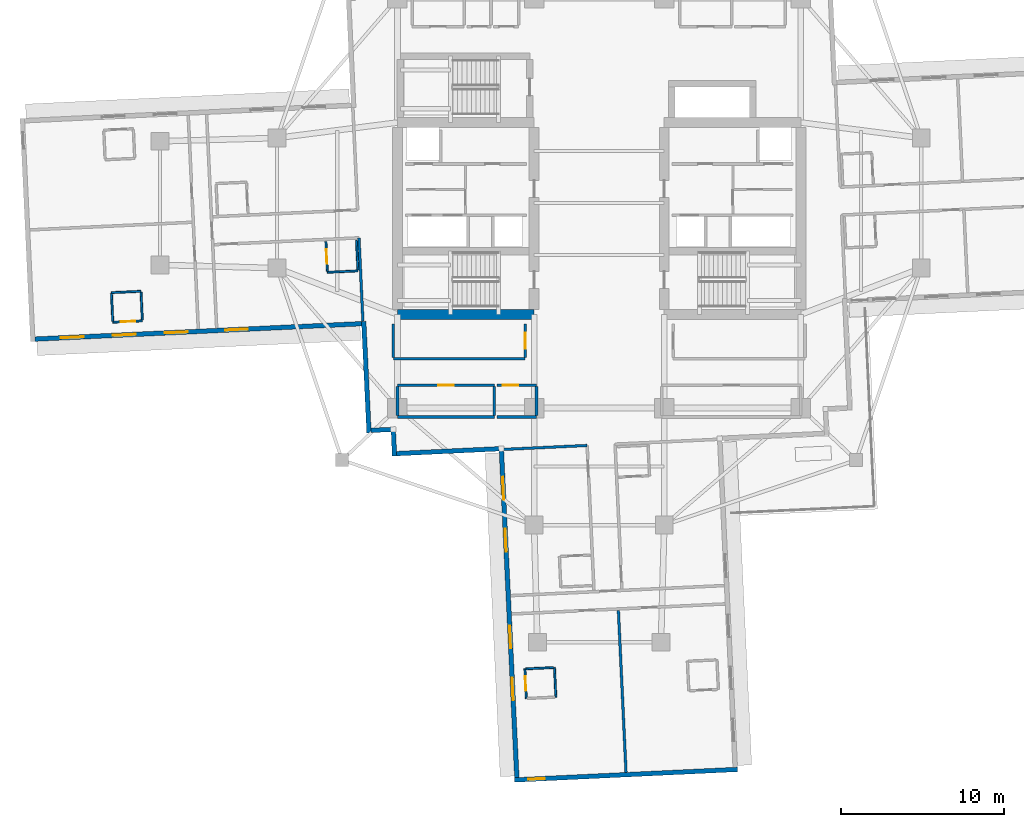
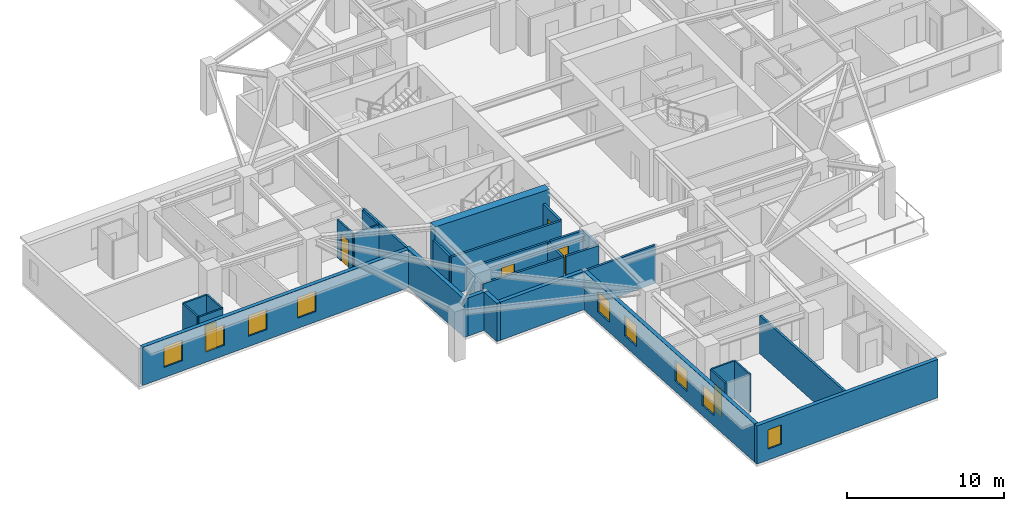
# One storey, part 3 of 14: 31 walls, 9 windows, 6 doors, 15 openings.
"""IFC4 building model written with IfcOpenShell, lengths in metres."""

from ifc_helpers import new_model, si_unit, direction, frame, frame_2d, origin, place, context, subcontext, project, spatial, rectangle, extrude, material, layer, layer_set, type_object, element, fill, save


model = new_model("IFC4")

# Units and contexts
model_context = context("Model", 3, precision=1e-05, world=origin(), true_north=direction((0.0, 1.0)))
body_context = subcontext(model_context, "Body", "Model", "MODEL_VIEW")
ifc_project = project(units=[si_unit("LENGTHUNIT", "METRE"), si_unit("AREAUNIT", "SQUARE_METRE"), si_unit("VOLUMEUNIT", "CUBIC_METRE"), si_unit("PLANEANGLEUNIT", "RADIAN"), si_unit("MASSUNIT", "GRAM", prefix="KILO")], contexts=[model_context])

# Site, building, storey
site_placement = place(None, origin())
site = spatial("IfcSite", under=ifc_project, at=site_placement, CompositionType="ELEMENT")
building_placement = place(site_placement, origin())
building = spatial("IfcBuilding", under=site, at=building_placement, Name="Qingluan Cross Belvedere", CompositionType="ELEMENT")
storey_placement = place(building_placement, frame((0.0, 0.0, 116.39990234375)))
storey = spatial("IfcBuildingStorey", under=building, at=storey_placement, Name="L29", CompositionType="ELEMENT", Elevation=116.39990234375)

# Walls
ifc_material_1 = material(Name="Concrete C60", Category="concrete")
ifc_layer_1 = layer(ifc_material_1, 0.60009765625, Name="CoreShearWall_600")
ifc_layer_set_1 = layer_set([ifc_layer_1], Name="Concrete C60")
wall_type_1 = type_object("IfcWallType", Name="CoreShearWall_600", PredefinedType="SHEAR", material=ifc_layer_set_1)
wall_1_placement = place(storey_placement, frame((-12.39990234375, -6.85009765625, 0.0), z_axis=(0.0, 0.0, 1.0), x_axis=(1.0, 0.0, 0.0)))
element("IfcWall", 1, at=wall_1_placement, inside=storey, type_object=wall_type_1, Name="Split core W shear wall L29-S", PredefinedType="SHEAR", context=body_context, shape_type="SweptSolid", body=[
    extrude(rectangle(XDim=8.39990234375, YDim=0.60009765625, at=frame_2d((4.199951171875, 0.0))), origin(), (0.0, 0.0, 1.0), 3.7001953125),
])
ifc_material_2 = material(Name="Gypsum plasterboard on steel stud acoustic partition", Category="steel")
ifc_layer_2 = layer(ifc_material_2, 0.159912109375, Name="CorridorPartition_160")
ifc_layer_set_2 = layer_set([ifc_layer_2], Name="Gypsum plasterboard on steel stud acoustic partition")
wall_type_2 = type_object("IfcWallType", Name="CorridorPartition_160", PredefinedType="PARTITIONING", material=ifc_layer_set_2)
wall_2_placement = place(storey_placement, frame((-12.39990234375, -13.14990234375, 0.0), z_axis=(0.0, 0.0, 1.0), x_axis=(1.0, 0.0, 0.0)))
element("IfcWall", 2, at=wall_2_placement, inside=storey, type_object=wall_type_2, Name="Partition L29:q_sw1:S", PredefinedType="PARTITIONING", context=body_context, shape_type="SweptSolid", body=[
    extrude(rectangle(XDim=5.949951171875, YDim=0.159912109375, at=frame_2d((2.97509765625, 0.0))), origin(), (0.0, 0.0, 1.0), 2.960205078125),
])

# Wall, opening, door
wall_3_placement = place(storey_placement, frame((-12.39990234375, -11.199951171875, 0.0), z_axis=(0.0, 0.0, 1.0), x_axis=(1.0, 0.0, 0.0)))
wall_3 = element("IfcWall", 3, at=wall_3_placement, inside=storey, type_object=wall_type_2, Name="Partition L29:q_sw1:N", PredefinedType="PARTITIONING", context=body_context, shape_type="SweptSolid", body=[
    extrude(rectangle(XDim=5.949951171875, YDim=0.159912109375, at=frame_2d((2.97509765625, 0.0))), origin(), (0.0, 0.0, 1.0), 2.960205078125),
])
opening_1_placement = place(wall_3_placement, frame((2.4951171875, 0.0, 0.0)))
opening_1 = element("IfcOpeningElement", 4, at=opening_1_placement, cuts=wall_3, Name="Opening GD-10", PredefinedType="OPENING", context=body_context, shape_type="SweptSolid", body=[
    extrude(rectangle(XDim=0.9599609375, YDim=2.14990234375, at=frame_2d((0.47998046875, 1.074951171875))), frame((0.0, 0.08984375, 0.0), z_axis=(0.0, -1.0, 0.0), x_axis=(1.0, 0.0, 0.0)), (0.0, 0.0, 1.0), 0.179931640625),
])
ifc_material_3 = material(Name="Timber oak fire-rated acoustic guestroom door", Category="wood")
door_type_1 = type_object("IfcDoorType", Name="GuestEntryDoor_FD60", OperationType="NOTDEFINED", PredefinedType="DOOR", material=ifc_material_3)
door_1_placement = place(opening_1_placement, origin())
door_1 = element("IfcDoor", 5, at=door_1_placement, inside=storey, type_object=door_type_1, Name="Reading library room L29 door", OperationType="SINGLE_SWING_LEFT", OverallHeight=2.14990234375, OverallWidth=0.9599609375, PredefinedType="DOOR", context=body_context, shape_type="SweptSolid", body=[
    extrude(rectangle(XDim=0.9599609375, YDim=2.14990234375, at=frame_2d((0.47998046875, 1.074951171875))), frame((0.0, 0.02490234375, 0.0), z_axis=(0.0, -1.0, 0.0), x_axis=(1.0, 0.0, 0.0)), (0.0, 0.0, 1.0), 0.050048828125),
])
fill(opening_1, door_1)

# Walls
for number, where, z_axis, x_axis, name in (
    (6, (-12.39990234375, -13.06494140625, 0.0), (0.0, 0.0, 1.0), (0.0, 1.0, 0.0), "Partition L29:q_sw1:W"),
    (7, (-6.449951171875, -13.06494140625, 0.0), (0.0, 0.0, 1.0), (0.0, 1.0, 0.0), "Partition L29:q_sw1:E"),
):
    element("IfcWall", number, at=place(storey_placement, frame(where, z_axis=z_axis, x_axis=x_axis)), inside=storey, type_object=wall_type_2, Name=name, PredefinedType="PARTITIONING", context=body_context, shape_type="SweptSolid", body=[
        extrude(rectangle(XDim=1.780029296875, YDim=0.159912109375, at=frame_2d((0.89013671875, 0.0))), origin(), (0.0, 0.0, 1.0), 2.960205078125),
    ])
wall_4_placement = place(storey_placement, frame((-6.2900390625, -13.14990234375, 0.0), z_axis=(0.0, 0.0, 1.0), x_axis=(1.0, 0.0, 0.0)))
element("IfcWall", 8, at=wall_4_placement, inside=storey, type_object=wall_type_2, Name="Partition L29:q_sw2:S", PredefinedType="PARTITIONING", context=body_context, shape_type="SweptSolid", body=[
    extrude(rectangle(XDim=2.43994140625, YDim=0.159912109375, at=frame_2d((1.219970703125, 0.0))), origin(), (0.0, 0.0, 1.0), 2.960205078125),
])

# Wall, opening, door
wall_5_placement = place(storey_placement, frame((-6.2900390625, -11.199951171875, 0.0), z_axis=(0.0, 0.0, 1.0), x_axis=(1.0, 0.0, 0.0)))
wall_5 = element("IfcWall", 9, at=wall_5_placement, inside=storey, type_object=wall_type_2, Name="Partition L29:q_sw2:N", PredefinedType="PARTITIONING", context=body_context, shape_type="SweptSolid", body=[
    extrude(rectangle(XDim=2.43994140625, YDim=0.159912109375, at=frame_2d((1.219970703125, 0.0))), origin(), (0.0, 0.0, 1.0), 2.960205078125),
])
opening_2_placement = place(wall_5_placement, frame((0.35009765625, 0.0, 0.0)))
opening_2 = element("IfcOpeningElement", 10, at=opening_2_placement, cuts=wall_5, Name="Opening GD-10", PredefinedType="OPENING", context=body_context, shape_type="SweptSolid", body=[
    extrude(rectangle(XDim=0.9599609375, YDim=2.14990234375, at=frame_2d((0.47998046875, 1.074951171875))), frame((0.0, 0.08984375, 0.0), z_axis=(0.0, -1.0, 0.0), x_axis=(1.0, 0.0, 0.0)), (0.0, 0.0, 1.0), 0.179931640625),
])
door_2_placement = place(opening_2_placement, origin())
door_2 = element("IfcDoor", 11, at=door_2_placement, inside=storey, type_object=door_type_1, Name="Southwest reading room L29 door", OperationType="SINGLE_SWING_RIGHT", OverallHeight=2.14990234375, OverallWidth=0.9599609375, PredefinedType="DOOR", context=body_context, shape_type="SweptSolid", body=[
    extrude(rectangle(XDim=0.9599609375, YDim=2.14990234375, at=frame_2d((0.47998046875, 1.074951171875))), frame((0.0, 0.02490234375, 0.0), z_axis=(0.0, -1.0, 0.0), x_axis=(1.0, 0.0, 0.0)), (0.0, 0.0, 1.0), 0.050048828125),
])
fill(opening_2, door_2)

# Walls
wall_6_placement = place(storey_placement, frame((-3.85009765625, -13.06494140625, 0.0), z_axis=(0.0, 0.0, 1.0), x_axis=(0.0, 1.0, 0.0)))
element("IfcWall", 12, at=wall_6_placement, inside=storey, type_object=wall_type_2, Name="Partition L29:q_sw2:E", PredefinedType="PARTITIONING", context=body_context, shape_type="SweptSolid", body=[
    extrude(rectangle(XDim=1.780029296875, YDim=0.159912109375, at=frame_2d((0.89013671875, 0.0))), origin(), (0.0, 0.0, 1.0), 2.960205078125),
])
wall_7_placement = place(storey_placement, frame((-12.64990234375, -9.580078125, 0.0), z_axis=(0.0, 0.0, 1.0), x_axis=(1.0, 0.0, 0.0)))
element("IfcWall", 13, at=wall_7_placement, inside=storey, type_object=wall_type_2, Name="Partition L29:rec_st4_w:S", PredefinedType="PARTITIONING", context=body_context, shape_type="SweptSolid", body=[
    extrude(rectangle(XDim=8.099853515625, YDim=0.159912109375, at=frame_2d((4.0498046875, 0.0))), origin(), (0.0, 0.0, 1.0), 2.960205078125),
])
wall_8_placement = place(storey_placement, frame((-12.64990234375, -9.4951171875, 0.0), z_axis=(0.0, 0.0, 1.0), x_axis=(0.0, 1.0, 0.0)))
element("IfcWall", 14, at=wall_8_placement, inside=storey, type_object=wall_type_2, Name="Partition L29:rec_st4_w:W", PredefinedType="PARTITIONING", context=body_context, shape_type="SweptSolid", body=[
    extrude(rectangle(XDim=2.06005859375, YDim=0.159912109375, at=frame_2d((1.030029296875, 0.0))), origin(), (0.0, 0.0, 1.0), 2.960205078125),
])

# Wall, opening, door
wall_9_placement = place(storey_placement, frame((-4.550048828125, -9.4951171875, 0.0), z_axis=(0.0, 0.0, 1.0), x_axis=(0.0, 1.0, 0.0)))
wall_9 = element("IfcWall", 15, at=wall_9_placement, inside=storey, type_object=wall_type_2, Name="Partition L29:rec_st4_w:E", PredefinedType="PARTITIONING", context=body_context, shape_type="SweptSolid", body=[
    extrude(rectangle(XDim=2.06005859375, YDim=0.159912109375, at=frame_2d((1.030029296875, 0.0))), origin(), (0.0, 0.0, 1.0), 2.960205078125),
])
opening_3_placement = place(wall_9_placement, frame((0.550048828125, 0.0, 0.0)))
opening_3 = element("IfcOpeningElement", 16, at=opening_3_placement, cuts=wall_9, Name="Opening GD-10", PredefinedType="OPENING", context=body_context, shape_type="SweptSolid", body=[
    extrude(rectangle(XDim=0.9599609375, YDim=2.14990234375, at=frame_2d((0.47998046875, 1.074951171875))), frame((0.0, 0.08984375, 0.0), z_axis=(0.0, -1.0, 0.0), x_axis=(1.0, 0.0, 0.0)), (0.0, 0.0, 1.0), 0.179931640625),
])
door_3_placement = place(opening_3_placement, origin())
door_3 = element("IfcDoor", 17, at=door_3_placement, inside=storey, type_object=door_type_1, Name="Southwest club reading room L29 door", OperationType="SINGLE_SWING_LEFT", OverallHeight=2.14990234375, OverallWidth=0.9599609375, PredefinedType="DOOR", context=body_context, shape_type="SweptSolid", body=[
    extrude(rectangle(XDim=0.9599609375, YDim=2.14990234375, at=frame_2d((0.47998046875, 1.074951171875))), frame((0.0, 0.02490234375, 0.0), z_axis=(0.0, -1.0, 0.0), x_axis=(1.0, 0.0, 0.0)), (0.0, 0.0, 1.0), 0.050048828125),
])
fill(opening_3, door_3)

# Walls
wall_10_placement = place(storey_placement, frame((-14.765625, -2.137939453125, 0.0), z_axis=(0.0, 0.0, 1.0), x_axis=(0.047095033298, -0.998890413328, 0.0)))
element("IfcWall", 18, at=wall_10_placement, inside=storey, type_object=wall_type_2, Name="Partition L29:W:s1", PredefinedType="PARTITIONING", context=body_context, shape_type="SweptSolid", body=[
    extrude(rectangle(XDim=5.132080078125, YDim=0.159912109375, at=frame_2d((2.56591796875, 0.0))), origin(), (0.0, 0.0, 1.0), 2.960205078125),
])
wall_11_placement = place(storey_placement, frame((-0.739013671875, -14.9013671875, 0.0), z_axis=(0.0, 0.0, 1.0), x_axis=(-0.998889275357, -0.047119163577, 0.0)))
element("IfcWall", 19, at=wall_11_placement, inside=storey, type_object=wall_type_2, Name="Partition L29:S:s1", PredefinedType="PARTITIONING", context=body_context, shape_type="SweptSolid", body=[
    extrude(rectangle(XDim=5.27978515625, YDim=0.159912109375, at=frame_2d((2.639892578125, 0.0))), origin(), (0.0, 0.0, 1.0), 2.960205078125),
])
wall_12_placement = place(storey_placement, frame((1.180908203125, -25.042236328125, 0.0), z_axis=(0.0, 0.0, 1.0), x_axis=(0.047102889239, -0.99889004291, 0.0)))
element("IfcWall", 20, at=wall_12_placement, inside=storey, type_object=wall_type_2, Name="Partition L29:Scap:mid", PredefinedType="PARTITIONING", context=body_context, shape_type="SweptSolid", body=[
    extrude(rectangle(XDim=9.9619140625, YDim=0.159912109375, at=frame_2d((4.98095703125, 0.0))), origin(), (0.0, 0.0, 1.0), 2.960205078125),
])

# Wall, opening, door
ifc_material_4 = material(Name="Moisture-resistant gypsum board lining")
ifc_layer_3 = layer(ifc_material_4, 0.1201171875, Name="EnsuiteWetPartition_120")
ifc_layer_set_3 = layer_set([ifc_layer_3], Name="Moisture-resistant gypsum board lining")
wall_type_3 = type_object("IfcWallType", Name="EnsuiteWetPartition_120", PredefinedType="PARTITIONING", material=ifc_layer_set_3)
wall_13_placement = place(storey_placement, frame((-16.711181640625, -4.19189453125, 0.0), z_axis=(0.0, 0.0, 1.0), x_axis=(-0.047080807099, 0.998891083954, 0.0)))
wall_13 = element("IfcWall", 21, at=wall_13_placement, inside=storey, type_object=wall_type_3, Name="Partition L29:W:bs1_0", PredefinedType="PARTITIONING", context=body_context, shape_type="SweptSolid", body=[
    extrude(rectangle(XDim=1.820068359375, YDim=0.1201171875, at=frame_2d((0.91015625, 0.0))), origin(), (0.0, 0.0, 1.0), 2.960205078125),
])
opening_4_placement = place(wall_13_placement, frame((0.469970703125, 0.0, 0.0)))
opening_4 = element("IfcOpeningElement", 22, at=opening_4_placement, cuts=wall_13, Name="Opening BD-09", PredefinedType="OPENING", context=body_context, shape_type="SweptSolid", body=[
    extrude(rectangle(XDim=0.8798828125, YDim=2.10009765625, at=frame_2d((0.43994140625, 1.050048828125))), frame((0.0, 0.070068359375, 0.0), z_axis=(0.0, -1.0, 0.0), x_axis=(1.0, 0.0, 0.0)), (0.0, 0.0, 1.0), 0.14013671875),
])
ifc_material_5 = material(Name="Moisture-sealed timber en-suite door", Category="wood")
door_type_2 = type_object("IfcDoorType", Name="BathroomDoor_880", OperationType="NOTDEFINED", PredefinedType="DOOR", material=ifc_material_5)
door_4_placement = place(opening_4_placement, origin())
door_4 = element("IfcDoor", 23, at=door_4_placement, inside=storey, type_object=door_type_2, Name="Bathroom door 2906", OperationType="SINGLE_SWING_LEFT", OverallHeight=2.10009765625, OverallWidth=0.8798828125, PredefinedType="DOOR", context=body_context, shape_type="SweptSolid", body=[
    extrude(rectangle(XDim=0.8798828125, YDim=2.10009765625, at=frame_2d((0.43994140625, 1.050048828125))), frame((0.0, 0.02490234375, 0.0), z_axis=(0.0, -1.0, 0.0), x_axis=(1.0, 0.0, 0.0)), (0.0, 0.0, 1.0), 0.050048828125),
])
fill(opening_4, door_4)

# Walls
wall_14_placement = place(storey_placement, frame((-14.833251953125, -4.103271484375, 0.0), z_axis=(0.0, 0.0, 1.0), x_axis=(-0.047087116047, 0.998890786574, 0.0)))
element("IfcWall", 24, at=wall_14_placement, inside=storey, type_object=wall_type_3, Name="Partition L29:W:bw1_0", PredefinedType="PARTITIONING", context=body_context, shape_type="SweptSolid", body=[
    extrude(rectangle(XDim=1.81982421875, YDim=0.1201171875, at=frame_2d((0.909912109375, 0.0))), origin(), (0.0, 0.0, 1.0), 2.960205078125),
])
wall_15_placement = place(storey_placement, frame((-14.830078125, -4.168212890625, 0.0), z_axis=(0.0, 0.0, 1.0), x_axis=(-0.998888319371, -0.047139425368, 0.0)))
element("IfcWall", 25, at=wall_15_placement, inside=storey, type_object=wall_type_3, Name="Partition L29:W:bc1_0", PredefinedType="PARTITIONING", context=body_context, shape_type="SweptSolid", body=[
    extrude(rectangle(XDim=1.880126953125, YDim=0.1201171875, at=frame_2d((0.93994140625, 0.0))), origin(), (0.0, 0.0, 1.0), 2.960205078125),
])
wall_16_placement = place(storey_placement, frame((-28.0830078125, -7.180908203125, 0.0), z_axis=(0.0, 0.0, 1.0), x_axis=(-0.047101201865, 0.998890122477, 0.0)))
element("IfcWall", 26, at=wall_16_placement, inside=storey, type_object=wall_type_3, Name="Partition L29:Wcap:b1a", PredefinedType="PARTITIONING", context=body_context, shape_type="SweptSolid", body=[
    extrude(rectangle(XDim=1.7001953125, YDim=0.1201171875, at=frame_2d((0.85009765625, 0.0))), origin(), (0.0, 0.0, 1.0), 2.960205078125),
])
wall_17_placement = place(storey_placement, frame((-29.90087890625, -7.2666015625, 0.0), z_axis=(0.0, 0.0, 1.0), x_axis=(-0.047107959116, 0.998889803826, 0.0)))
element("IfcWall", 27, at=wall_17_placement, inside=storey, type_object=wall_type_3, Name="Partition L29:Wcap:b1b", PredefinedType="PARTITIONING", context=body_context, shape_type="SweptSolid", body=[
    extrude(rectangle(XDim=1.699951171875, YDim=0.1201171875, at=frame_2d((0.85009765625, 0.0))), origin(), (0.0, 0.0, 1.0), 2.960205078125),
])

# Wall, opening, door
wall_18_placement = place(storey_placement, frame((-28.080078125, -7.24072265625, 0.0), z_axis=(0.0, 0.0, 1.0), x_axis=(-0.998891083954, -0.047080807099, 0.0)))
wall_18 = element("IfcWall", 28, at=wall_18_placement, inside=storey, type_object=wall_type_3, Name="Partition L29:Wcap:b1s", PredefinedType="PARTITIONING", context=body_context, shape_type="SweptSolid", body=[
    extrude(rectangle(XDim=1.820068359375, YDim=0.1201171875, at=frame_2d((0.91015625, 0.0))), origin(), (0.0, 0.0, 1.0), 2.960205078125),
])
opening_5_placement = place(wall_18_placement, frame((0.449951171875, 0.0, 0.0)))
opening_5 = element("IfcOpeningElement", 29, at=opening_5_placement, cuts=wall_18, Name="Opening BD-09", PredefinedType="OPENING", context=body_context, shape_type="SweptSolid", body=[
    extrude(rectangle(XDim=0.8798828125, YDim=2.10009765625, at=frame_2d((0.43994140625, 1.050048828125))), frame((0.0, 0.070068359375, 0.0), z_axis=(0.0, -1.0, 0.0), x_axis=(1.0, 0.0, 0.0)), (0.0, 0.0, 1.0), 0.14013671875),
])
door_5_placement = place(opening_5_placement, origin())
door_5 = element("IfcDoor", 30, at=door_5_placement, inside=storey, type_object=door_type_2, Name="En-suite bathroom door L29W1", OperationType="SINGLE_SWING_RIGHT", OverallHeight=2.10009765625, OverallWidth=0.8798828125, PredefinedType="DOOR", context=body_context, shape_type="SweptSolid", body=[
    extrude(rectangle(XDim=0.8798828125, YDim=2.10009765625, at=frame_2d((0.43994140625, 1.050048828125))), frame((0.0, 0.02490234375, 0.0), z_axis=(0.0, -1.0, 0.0), x_axis=(1.0, 0.0, 0.0)), (0.0, 0.0, 1.0), 0.050048828125),
])
fill(opening_5, door_5)

# Wall
wall_19_placement = place(storey_placement, frame((-28.165771484375, -5.4228515625, 0.0), z_axis=(0.0, 0.0, 1.0), x_axis=(-0.998891083954, -0.047080807099, 0.0)))
element("IfcWall", 31, at=wall_19_placement, inside=storey, type_object=wall_type_3, Name="Partition L29:Wcap:b1n", PredefinedType="PARTITIONING", context=body_context, shape_type="SweptSolid", body=[
    extrude(rectangle(XDim=1.820068359375, YDim=0.1201171875, at=frame_2d((0.91015625, 0.0))), origin(), (0.0, 0.0, 1.0), 2.960205078125),
])

# Wall, opening, door
wall_20_placement = place(storey_placement, frame((-4.566162109375, -28.636962890625, 0.0), z_axis=(0.0, 0.0, 1.0), x_axis=(0.047087116047, -0.998890786574, 0.0)))
wall_20 = element("IfcWall", 32, at=wall_20_placement, inside=storey, type_object=wall_type_3, Name="Partition L29:Scap:b1s", PredefinedType="PARTITIONING", context=body_context, shape_type="SweptSolid", body=[
    extrude(rectangle(XDim=1.81982421875, YDim=0.1201171875, at=frame_2d((0.909912109375, 0.0))), origin(), (0.0, 0.0, 1.0), 2.960205078125),
])
opening_6_placement = place(wall_20_placement, frame((0.449951171875, 0.0, 0.0)))
opening_6 = element("IfcOpeningElement", 33, at=opening_6_placement, cuts=wall_20, Name="Opening BD-09", PredefinedType="OPENING", context=body_context, shape_type="SweptSolid", body=[
    extrude(rectangle(XDim=0.8798828125, YDim=2.10009765625, at=frame_2d((0.43994140625, 1.050048828125))), frame((0.0, 0.070068359375, 0.0), z_axis=(0.0, -1.0, 0.0), x_axis=(1.0, 0.0, 0.0)), (0.0, 0.0, 1.0), 0.14013671875),
])
door_6_placement = place(opening_6_placement, origin())
door_6 = element("IfcDoor", 34, at=door_6_placement, inside=storey, type_object=door_type_2, Name="En-suite bathroom door L29S1", OperationType="SINGLE_SWING_RIGHT", OverallHeight=2.10009765625, OverallWidth=0.8798828125, PredefinedType="DOOR", context=body_context, shape_type="SweptSolid", body=[
    extrude(rectangle(XDim=0.8798828125, YDim=2.10009765625, at=frame_2d((0.43994140625, 1.050048828125))), frame((0.0, 0.02490234375, 0.0), z_axis=(0.0, -1.0, 0.0), x_axis=(1.0, 0.0, 0.0)), (0.0, 0.0, 1.0), 0.050048828125),
])
fill(opening_6, door_6)

# Walls
wall_21_placement = place(storey_placement, frame((-2.748046875, -28.551025390625, 0.0), z_axis=(0.0, 0.0, 1.0), x_axis=(0.047080807099, -0.998891083954, 0.0)))
element("IfcWall", 35, at=wall_21_placement, inside=storey, type_object=wall_type_3, Name="Partition L29:Scap:b1b", PredefinedType="PARTITIONING", context=body_context, shape_type="SweptSolid", body=[
    extrude(rectangle(XDim=1.820068359375, YDim=0.1201171875, at=frame_2d((0.91015625, 0.0))), origin(), (0.0, 0.0, 1.0), 2.960205078125),
])
wall_22_placement = place(storey_placement, frame((-4.506103515625, -28.634033203125, 0.0), z_axis=(0.0, 0.0, 1.0), x_axis=(0.998889803826, 0.047107959116, 0.0)))
element("IfcWall", 36, at=wall_22_placement, inside=storey, type_object=wall_type_3, Name="Partition L29:Scap:b1a", PredefinedType="PARTITIONING", context=body_context, shape_type="SweptSolid", body=[
    extrude(rectangle(XDim=1.699951171875, YDim=0.1201171875, at=frame_2d((0.85009765625, 0.0))), origin(), (0.0, 0.0, 1.0), 2.960205078125),
])

# Wall, openings, windows
ifc_material_6 = material(Name="Precast concrete C45", Category="concrete")
ifc_layer_4 = layer(ifc_material_6, 0.280029296875, Name="PrecastFacadeWall_280")
ifc_layer_set_4 = layer_set([ifc_layer_4], Name="Precast concrete C45")
wall_type_4 = type_object("IfcWallType", Name="PrecastFacadeWall_280", PredefinedType="STANDARD", material=ifc_layer_set_4)
wall_23_placement = place(storey_placement, frame((-34.6845703125, -8.363037109375, 0.0), z_axis=(0.0, 0.0, 1.0), x_axis=(0.998890015344, 0.047103473814, 0.0)))
wall_23 = element("IfcWall", 37, at=wall_23_placement, inside=storey, type_object=wall_type_4, Name="Facade wall L29-WB", PredefinedType="STANDARD", context=body_context, shape_type="SweptSolid", body=[
    extrude(rectangle(XDim=20.099853515625, YDim=0.280029296875, at=frame_2d((10.0498046875, 0.0))), origin(), (0.0, 0.0, 1.0), 2.97021484375),
])
opening_7_placement = place(wall_23_placement, frame((1.60009765625, 0.0, 0.800048828125)))
opening_7 = element("IfcOpeningElement", 38, at=opening_7_placement, cuts=wall_23, Name="Opening W-01", PredefinedType="OPENING", context=body_context, shape_type="SweptSolid", body=[
    extrude(rectangle(XDim=1.39990234375, YDim=1.60009765625, at=frame_2d((0.699951171875, 0.800048828125))), frame((0.0, 0.14990234375, 0.0), z_axis=(0.0, -1.0, 0.0), x_axis=(1.0, 0.0, 0.0)), (0.0, 0.0, 1.0), 0.300048828125),
])
opening_8_placement = place(wall_23_placement, frame((4.800048828125, 0.0, 0.800048828125)))
opening_8 = element("IfcOpeningElement", 39, at=opening_8_placement, cuts=wall_23, Name="Opening W-01", PredefinedType="OPENING", context=body_context, shape_type="SweptSolid", body=[
    extrude(rectangle(XDim=1.39990234375, YDim=1.60009765625, at=frame_2d((0.699951171875, 0.800048828125))), frame((0.0, 0.14990234375, 0.0), z_axis=(0.0, -1.0, 0.0), x_axis=(1.0, 0.0, 0.0)), (0.0, 0.0, 1.0), 0.300048828125),
])
opening_9_placement = place(wall_23_placement, frame((8.0, 0.0, 0.800048828125)))
opening_9 = element("IfcOpeningElement", 40, at=opening_9_placement, cuts=wall_23, Name="Opening W-01", PredefinedType="OPENING", context=body_context, shape_type="SweptSolid", body=[
    extrude(rectangle(XDim=1.39990234375, YDim=1.60009765625, at=frame_2d((0.699951171875, 0.800048828125))), frame((0.0, 0.14990234375, 0.0), z_axis=(0.0, -1.0, 0.0), x_axis=(1.0, 0.0, 0.0)), (0.0, 0.0, 1.0), 0.300048828125),
])
opening_10_placement = place(wall_23_placement, frame((11.699951171875, 0.0, 0.800048828125)))
opening_10 = element("IfcOpeningElement", 41, at=opening_10_placement, cuts=wall_23, Name="Opening W-01", PredefinedType="OPENING", context=body_context, shape_type="SweptSolid", body=[
    extrude(rectangle(XDim=1.39990234375, YDim=1.60009765625, at=frame_2d((0.699951171875, 0.800048828125))), frame((0.0, 0.14990234375, 0.0), z_axis=(0.0, -1.0, 0.0), x_axis=(1.0, 0.0, 0.0)), (0.0, 0.0, 1.0), 0.300048828125),
])
ifc_material_7 = material(Name="Thermally broken triple Low-E glass in aluminium frame", Category="aluminium")
window_type_1 = type_object("IfcWindowType", Name="TriRibbonWin_1400x1600", PartitioningType="SINGLE_PANEL", PredefinedType="WINDOW", material=ifc_material_7)
window_1_placement = place(opening_7_placement, origin())
window_1 = element("IfcWindow", 42, at=window_1_placement, inside=storey, type_object=window_type_1, Name="Ribbon window L29-WB-1", OverallHeight=1.60009765625, OverallWidth=1.39990234375, PartitioningType="SINGLE_PANEL", PredefinedType="WINDOW", context=body_context, shape_type="SweptSolid", body=[
    extrude(rectangle(XDim=1.39990234375, YDim=1.60009765625, at=frame_2d((0.699951171875, 0.800048828125))), frame((0.0, 0.030029296875, 0.0), z_axis=(0.0, -1.0, 0.0), x_axis=(1.0, 0.0, 0.0)), (0.0, 0.0, 1.0), 0.06005859375),
])
fill(opening_7, window_1)
window_2_placement = place(opening_8_placement, origin())
window_2 = element("IfcWindow", 43, at=window_2_placement, inside=storey, type_object=window_type_1, Name="Ribbon window L29-WB-2", OverallHeight=1.60009765625, OverallWidth=1.39990234375, PartitioningType="SINGLE_PANEL", PredefinedType="WINDOW", context=body_context, shape_type="SweptSolid", body=[
    extrude(rectangle(XDim=1.39990234375, YDim=1.60009765625, at=frame_2d((0.699951171875, 0.800048828125))), frame((0.0, 0.030029296875, 0.0), z_axis=(0.0, -1.0, 0.0), x_axis=(1.0, 0.0, 0.0)), (0.0, 0.0, 1.0), 0.06005859375),
])
fill(opening_8, window_2)
window_3_placement = place(opening_9_placement, origin())
window_3 = element("IfcWindow", 44, at=window_3_placement, inside=storey, type_object=window_type_1, Name="Ribbon window L29-WB-3", OverallHeight=1.60009765625, OverallWidth=1.39990234375, PartitioningType="SINGLE_PANEL", PredefinedType="WINDOW", context=body_context, shape_type="SweptSolid", body=[
    extrude(rectangle(XDim=1.39990234375, YDim=1.60009765625, at=frame_2d((0.699951171875, 0.800048828125))), frame((0.0, 0.030029296875, 0.0), z_axis=(0.0, -1.0, 0.0), x_axis=(1.0, 0.0, 0.0)), (0.0, 0.0, 1.0), 0.06005859375),
])
fill(opening_9, window_3)
window_4_placement = place(opening_10_placement, origin())
window_4 = element("IfcWindow", 45, at=window_4_placement, inside=storey, type_object=window_type_1, Name="Ribbon window L29-WB-4", OverallHeight=1.60009765625, OverallWidth=1.39990234375, PartitioningType="SINGLE_PANEL", PredefinedType="WINDOW", context=body_context, shape_type="SweptSolid", body=[
    extrude(rectangle(XDim=1.39990234375, YDim=1.60009765625, at=frame_2d((0.699951171875, 0.800048828125))), frame((0.0, 0.030029296875, 0.0), z_axis=(0.0, -1.0, 0.0), x_axis=(1.0, 0.0, 0.0)), (0.0, 0.0, 1.0), 0.06005859375),
])
fill(opening_10, window_4)

wall_24_placement = place(storey_placement, frame((-6.0087890625, -15.239990234375, 0.0), z_axis=(0.0, 0.0, 1.0), x_axis=(0.047103473814, -0.998890015344, 0.0)))
wall_24 = element("IfcWall", 46, at=wall_24_placement, inside=storey, type_object=wall_type_4, Name="Facade wall L29-SA", PredefinedType="STANDARD", context=body_context, shape_type="SweptSolid", body=[
    extrude(rectangle(XDim=20.099853515625, YDim=0.280029296875, at=frame_2d((10.0498046875, 0.0))), origin(), (0.0, 0.0, 1.0), 2.97021484375),
])
opening_11_placement = place(wall_24_placement, frame((1.60009765625, 0.0, 0.800048828125)))
opening_11 = element("IfcOpeningElement", 47, at=opening_11_placement, cuts=wall_24, Name="Opening W-01", PredefinedType="OPENING", context=body_context, shape_type="SweptSolid", body=[
    extrude(rectangle(XDim=1.39990234375, YDim=1.60009765625, at=frame_2d((0.699951171875, 0.800048828125))), frame((0.0, 0.14990234375, 0.0), z_axis=(0.0, -1.0, 0.0), x_axis=(1.0, 0.0, 0.0)), (0.0, 0.0, 1.0), 0.300048828125),
])
opening_12_placement = place(wall_24_placement, frame((4.800048828125, 0.0, 0.800048828125)))
opening_12 = element("IfcOpeningElement", 48, at=opening_12_placement, cuts=wall_24, Name="Opening W-01", PredefinedType="OPENING", context=body_context, shape_type="SweptSolid", body=[
    extrude(rectangle(XDim=1.39990234375, YDim=1.60009765625, at=frame_2d((0.699951171875, 0.800048828125))), frame((0.0, 0.14990234375, 0.0), z_axis=(0.0, -1.0, 0.0), x_axis=(1.0, 0.0, 0.0)), (0.0, 0.0, 1.0), 0.300048828125),
])
opening_13_placement = place(wall_24_placement, frame((10.75, 0.0, 0.800048828125)))
opening_13 = element("IfcOpeningElement", 49, at=opening_13_placement, cuts=wall_24, Name="Opening W-01", PredefinedType="OPENING", context=body_context, shape_type="SweptSolid", body=[
    extrude(rectangle(XDim=1.39990234375, YDim=1.60009765625, at=frame_2d((0.699951171875, 0.800048828125))), frame((0.0, 0.14990234375, 0.0), z_axis=(0.0, -1.0, 0.0), x_axis=(1.0, 0.0, 0.0)), (0.0, 0.0, 1.0), 0.300048828125),
])
opening_14_placement = place(wall_24_placement, frame((13.949951171875, 0.0, 0.800048828125)))
opening_14 = element("IfcOpeningElement", 50, at=opening_14_placement, cuts=wall_24, Name="Opening W-01", PredefinedType="OPENING", context=body_context, shape_type="SweptSolid", body=[
    extrude(rectangle(XDim=1.39990234375, YDim=1.60009765625, at=frame_2d((0.699951171875, 0.800048828125))), frame((0.0, 0.14990234375, 0.0), z_axis=(0.0, -1.0, 0.0), x_axis=(1.0, 0.0, 0.0)), (0.0, 0.0, 1.0), 0.300048828125),
])
window_5_placement = place(opening_11_placement, origin())
window_5 = element("IfcWindow", 51, at=window_5_placement, inside=storey, type_object=window_type_1, Name="Ribbon window L29-SA-1", OverallHeight=1.60009765625, OverallWidth=1.39990234375, PartitioningType="SINGLE_PANEL", PredefinedType="WINDOW", context=body_context, shape_type="SweptSolid", body=[
    extrude(rectangle(XDim=1.39990234375, YDim=1.60009765625, at=frame_2d((0.699951171875, 0.800048828125))), frame((0.0, 0.030029296875, 0.0), z_axis=(0.0, -1.0, 0.0), x_axis=(1.0, 0.0, 0.0)), (0.0, 0.0, 1.0), 0.06005859375),
])
fill(opening_11, window_5)
window_6_placement = place(opening_12_placement, origin())
window_6 = element("IfcWindow", 52, at=window_6_placement, inside=storey, type_object=window_type_1, Name="Ribbon window L29-SA-2", OverallHeight=1.60009765625, OverallWidth=1.39990234375, PartitioningType="SINGLE_PANEL", PredefinedType="WINDOW", context=body_context, shape_type="SweptSolid", body=[
    extrude(rectangle(XDim=1.39990234375, YDim=1.60009765625, at=frame_2d((0.699951171875, 0.800048828125))), frame((0.0, 0.030029296875, 0.0), z_axis=(0.0, -1.0, 0.0), x_axis=(1.0, 0.0, 0.0)), (0.0, 0.0, 1.0), 0.06005859375),
])
fill(opening_12, window_6)
window_7_placement = place(opening_13_placement, origin())
window_7 = element("IfcWindow", 53, at=window_7_placement, inside=storey, type_object=window_type_1, Name="Ribbon window L29-SA-3", OverallHeight=1.60009765625, OverallWidth=1.39990234375, PartitioningType="SINGLE_PANEL", PredefinedType="WINDOW", context=body_context, shape_type="SweptSolid", body=[
    extrude(rectangle(XDim=1.39990234375, YDim=1.60009765625, at=frame_2d((0.699951171875, 0.800048828125))), frame((0.0, 0.030029296875, 0.0), z_axis=(0.0, -1.0, 0.0), x_axis=(1.0, 0.0, 0.0)), (0.0, 0.0, 1.0), 0.06005859375),
])
fill(opening_13, window_7)
window_8_placement = place(opening_14_placement, origin())
window_8 = element("IfcWindow", 54, at=window_8_placement, inside=storey, type_object=window_type_1, Name="Ribbon window L29-SA-4", OverallHeight=1.60009765625, OverallWidth=1.39990234375, PartitioningType="SINGLE_PANEL", PredefinedType="WINDOW", context=body_context, shape_type="SweptSolid", body=[
    extrude(rectangle(XDim=1.39990234375, YDim=1.60009765625, at=frame_2d((0.699951171875, 0.800048828125))), frame((0.0, 0.030029296875, 0.0), z_axis=(0.0, -1.0, 0.0), x_axis=(1.0, 0.0, 0.0)), (0.0, 0.0, 1.0), 0.06005859375),
])
fill(opening_14, window_8)

# Wall, opening, window
wall_25_placement = place(storey_placement, frame((-5.1953125, -35.464111328125, 0.0), z_axis=(0.0, 0.0, 1.0), x_axis=(0.998890092147, 0.047101845086, 0.0)))
wall_25 = element("IfcWall", 55, at=wall_25_placement, inside=storey, type_object=wall_type_4, Name="Arm tip precast facade wall L29-S", PredefinedType="STANDARD", context=body_context, shape_type="SweptSolid", body=[
    extrude(rectangle(XDim=13.719970703125, YDim=0.280029296875, at=frame_2d((6.85986328125, 0.0))), origin(), (0.0, 0.0, 1.0), 2.97021484375),
])
opening_15_placement = place(wall_25_placement, frame((0.85009765625, 0.0, 0.85009765625)))
opening_15 = element("IfcOpeningElement", 56, at=opening_15_placement, cuts=wall_25, Name="Opening W-03", PredefinedType="OPENING", context=body_context, shape_type="SweptSolid", body=[
    extrude(rectangle(XDim=1.0, YDim=1.5, at=frame_2d((0.5, 0.75))), frame((0.0, 0.14990234375, 0.0), z_axis=(0.0, -1.0, 0.0), x_axis=(1.0, 0.0, 0.0)), (0.0, 0.0, 1.0), 0.300048828125),
])
ifc_material_8 = material(Name="Thermally broken triple Low-E glass in aluminium frame", Category="aluminium")
window_type_2 = type_object("IfcWindowType", Name="TriApexWin_1000x1500", PartitioningType="SINGLE_PANEL", PredefinedType="WINDOW", material=ifc_material_8)
window_9_placement = place(opening_15_placement, origin())
window_9 = element("IfcWindow", 57, at=window_9_placement, inside=storey, type_object=window_type_2, Name="Arm tip triangular window L29-S", OverallHeight=1.5, OverallWidth=1.0, PartitioningType="SINGLE_PANEL", PredefinedType="WINDOW", context=body_context, shape_type="SweptSolid", body=[
    extrude(rectangle(XDim=1.0, YDim=1.5, at=frame_2d((0.5, 0.75))), frame((0.0, 0.030029296875, 0.0), z_axis=(0.0, -1.0, 0.0), x_axis=(1.0, 0.0, 0.0)), (0.0, 0.0, 1.0), 0.06005859375),
])
fill(opening_15, window_9)

# Walls
wall_26_placement = place(storey_placement, frame((-14.4736328125, -7.27001953125, 0.0), z_axis=(0.0, 0.0, 1.0), x_axis=(0.04712043756, -0.998889215261, 0.0)))
element("IfcWall", 58, at=wall_26_placement, inside=storey, type_object=wall_type_4, Name="Corner wall L29-SW1", PredefinedType="STANDARD", context=body_context, shape_type="SweptSolid", body=[
    extrude(rectangle(XDim=6.85986328125, YDim=0.280029296875, at=frame_2d((3.429931640625, 0.0))), origin(), (0.0, 0.0, 1.0), 2.97021484375),
])
wall_27_placement = place(storey_placement, frame((-14.01708984375, -13.975830078125, 0.0), z_axis=(0.0, 0.0, 1.0), x_axis=(0.998883930236, 0.047232339719, 0.0)))
element("IfcWall", 59, at=wall_27_placement, inside=storey, type_object=wall_type_4, Name="Corner wall L29-SW2", PredefinedType="STANDARD", context=body_context, shape_type="SweptSolid", body=[
    extrude(rectangle(XDim=1.219970703125, YDim=0.280029296875, at=frame_2d((0.60986328125, 0.0))), origin(), (0.0, 0.0, 1.0), 2.97021484375),
])
wall_28_placement = place(storey_placement, frame((-12.652099609375, -14.051513671875, 0.0), z_axis=(0.0, 0.0, 1.0), x_axis=(0.047039284441, -0.99889304018, 0.0)))
element("IfcWall", 60, at=wall_28_placement, inside=storey, type_object=wall_type_4, Name="Corner wall L29-SW3", PredefinedType="STANDARD", context=body_context, shape_type="SweptSolid", body=[
    extrude(rectangle(XDim=1.5, YDim=0.280029296875, at=frame_2d((0.75, 0.0))), origin(), (0.0, 0.0, 1.0), 2.97021484375),
])
wall_29_placement = place(storey_placement, frame((-12.4482421875, -15.403564453125, 0.0), z_axis=(0.0, 0.0, 1.0), x_axis=(0.998889082162, 0.047123258997, 0.0)))
element("IfcWall", 61, at=wall_29_placement, inside=storey, type_object=wall_type_4, Name="Corner wall L29-SW4", PredefinedType="STANDARD", context=body_context, shape_type="SweptSolid", body=[
    extrude(rectangle(XDim=6.300048828125, YDim=0.280029296875, at=frame_2d((3.14990234375, 0.0))), origin(), (0.0, 0.0, 1.0), 2.97021484375),
])

save(model, "model.ifc")
